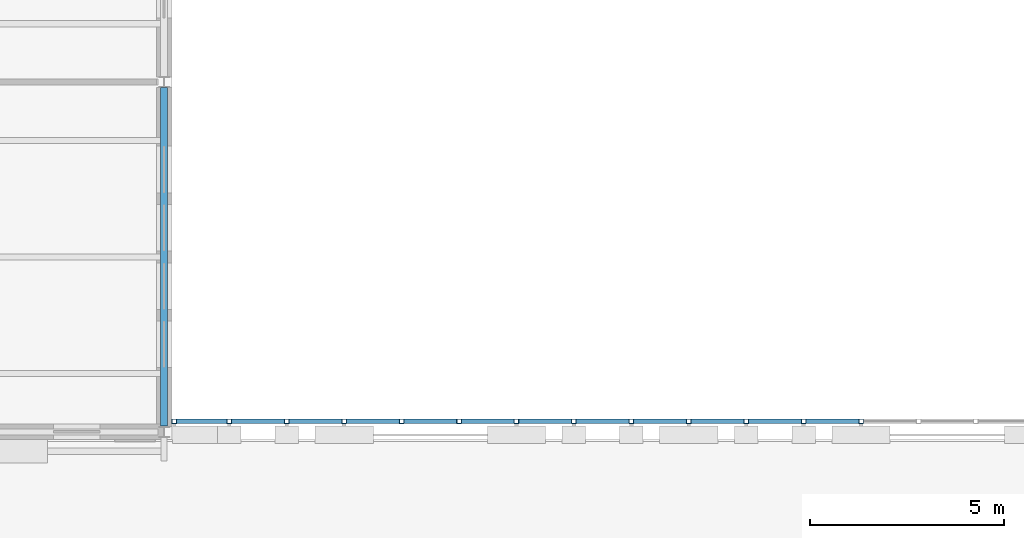
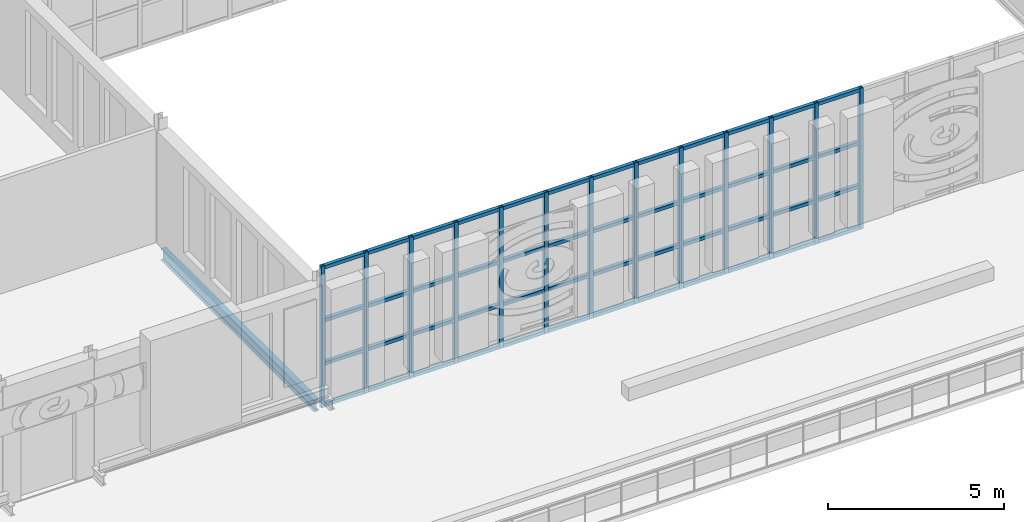
# One storey, part 24 of 134: 61 members, 1 beam, 1 element without a shape of its own.
"""IFC4 building model written with IfcOpenShell, lengths in metres."""

from ifc_helpers import new_model, si_unit, direction, frame, origin, origin_2d, place, context, subcontext, project, spatial, hollow_rectangle, i_section, extrude, material, material_profile, profile_set, type_object, element, aggregate, save


model = new_model("IFC4")

# Units and contexts
model_context = context("Model", 3, precision=1e-05, world=origin(), true_north=direction((0.0, 1.0)))
body_context = subcontext(model_context, "Body", "Model", "MODEL_VIEW")
ifc_project = project(units=[si_unit("LENGTHUNIT", "METRE"), si_unit("AREAUNIT", "SQUARE_METRE"), si_unit("VOLUMEUNIT", "CUBIC_METRE"), si_unit("PLANEANGLEUNIT", "RADIAN"), si_unit("MASSUNIT", "GRAM", prefix="KILO")], contexts=[model_context])

# Site, building, storey
site_placement = place(None, origin())
site = spatial("IfcSite", under=ifc_project, at=site_placement, CompositionType="ELEMENT")
building_placement = place(site_placement, origin())
building = spatial("IfcBuilding", under=site, at=building_placement, Name="Golden Quay Civic Hall", CompositionType="ELEMENT")
storey_placement = place(building_placement, frame((0.0, 0.0, 5.39990234375)))
storey = spatial("IfcBuildingStorey", under=building, at=storey_placement, Name="L01", CompositionType="ELEMENT", Elevation=5.39990234375)

# Beam
ifc_material_1 = material(Name="Steel S355", Category="steel")
ifc_material_profile_1 = material_profile(ifc_material_1, i_section(OverallWidth=0.179931640625, OverallDepth=0.39990234375, WebThickness=0.008544921875, FlangeThickness=0.013427734375, FilletRadius=0.02099609375, at=origin_2d()), Name="IPE 400")
ifc_profile_set_1 = profile_set([ifc_material_profile_1], Name="Steel S355")
beam_type = type_object("IfcBeamType", Name="Steel beam IPE 400", PredefinedType="BEAM", material=ifc_profile_set_1)
beam_placement = place(storey_placement, frame((72.0, 0.14501953125, -0.39990234375), z_axis=(0.0, 1.0, 0.0), x_axis=(-1.0, 0.0, 0.0)))
element("IfcBeam", 1, at=beam_placement, inside=storey, type_object=beam_type, Name="Beam L72-0", PredefinedType="BEAM", context=body_context, shape_type="SweptSolid", body=[
    extrude(i_section(OverallWidth=0.179931640625, OverallDepth=0.39990234375, WebThickness=0.008544921875, FlangeThickness=0.013427734375, FilletRadius=0.02099609375, at=origin_2d()), origin(), (0.0, 0.0, 1.0), 8.7099609375),
])

# Curtain wall, members
ifc_material_2 = material(Name="Glass and aluminium", Category="aluminium")
curtain_wall_type = type_object("IfcCurtainWallType", Name="Glazed curtain wall 1500 module", PredefinedType="NOTDEFINED", material=ifc_material_2)
curtain_wall_placement = place(storey_placement, origin())
curtain_wall = element("IfcCurtainWall", 2, at=curtain_wall_placement, inside=storey, type_object=curtain_wall_type, Name="CW1 curtain wall", PredefinedType="NOTDEFINED")
ifc_material_3 = material(Name="Steel S355", Category="steel")
ifc_material_profile_2 = material_profile(ifc_material_3, hollow_rectangle(XDim=0.1201171875, YDim=0.1201171875, WallThickness=0.008056640625, at=origin_2d()), Name="SHS 120x120x8")
ifc_profile_set_2 = profile_set([ifc_material_profile_2], Name="Steel S355")
member_type_1 = type_object("IfcMemberType", Name="Steel mullion SHS 120x120x8", PredefinedType="MULLION", material=ifc_profile_set_2)
member_1_placement = place(storey_placement, frame((72.260009765625, 0.27001953125, -0.599853515625), z_axis=(0.0, 0.0, 1.0), x_axis=(0.0, 1.0, 0.0)))
member_1 = element("IfcMember", 3, at=member_1_placement, type_object=member_type_1, Name="CW1 mullion 1", PredefinedType="MULLION", context=body_context, shape_type="SweptSolid", body=[
    extrude(hollow_rectangle(XDim=0.1201171875, YDim=0.1201171875, WallThickness=0.008056640625, at=origin_2d()), origin(), (0.0, 0.0, 1.0), 4.89990234375),
])
member_2_placement = place(storey_placement, frame((73.677734375, 0.27001953125, -0.599853515625), z_axis=(0.0, 0.0, 1.0), x_axis=(0.0, 1.0, 0.0)))
member_2 = element("IfcMember", 4, at=member_2_placement, type_object=member_type_1, Name="CW1 mullion 2", PredefinedType="MULLION", context=body_context, shape_type="SweptSolid", body=[
    extrude(hollow_rectangle(XDim=0.1201171875, YDim=0.1201171875, WallThickness=0.008056640625, at=origin_2d()), origin(), (0.0, 0.0, 1.0), 4.89990234375),
])
member_3_placement = place(storey_placement, frame((75.155517578125, 0.27001953125, -0.599853515625), z_axis=(0.0, 0.0, 1.0), x_axis=(0.0, 1.0, 0.0)))
member_3 = element("IfcMember", 5, at=member_3_placement, type_object=member_type_1, Name="CW1 mullion 3", PredefinedType="MULLION", context=body_context, shape_type="SweptSolid", body=[
    extrude(hollow_rectangle(XDim=0.1201171875, YDim=0.1201171875, WallThickness=0.008056640625, at=origin_2d()), origin(), (0.0, 0.0, 1.0), 4.89990234375),
])
member_4_placement = place(storey_placement, frame((76.63330078125, 0.27001953125, -0.599853515625), z_axis=(0.0, 0.0, 1.0), x_axis=(0.0, 1.0, 0.0)))
member_4 = element("IfcMember", 6, at=member_4_placement, type_object=member_type_1, Name="CW1 mullion 4", PredefinedType="MULLION", context=body_context, shape_type="SweptSolid", body=[
    extrude(hollow_rectangle(XDim=0.1201171875, YDim=0.1201171875, WallThickness=0.008056640625, at=origin_2d()), origin(), (0.0, 0.0, 1.0), 4.89990234375),
])
member_5_placement = place(storey_placement, frame((78.111083984375, 0.27001953125, -0.599853515625), z_axis=(0.0, 0.0, 1.0), x_axis=(0.0, 1.0, 0.0)))
member_5 = element("IfcMember", 7, at=member_5_placement, type_object=member_type_1, Name="CW1 mullion 5", PredefinedType="MULLION", context=body_context, shape_type="SweptSolid", body=[
    extrude(hollow_rectangle(XDim=0.1201171875, YDim=0.1201171875, WallThickness=0.008056640625, at=origin_2d()), origin(), (0.0, 0.0, 1.0), 4.89990234375),
])
member_6_placement = place(storey_placement, frame((79.5888671875, 0.27001953125, -0.599853515625), z_axis=(0.0, 0.0, 1.0), x_axis=(0.0, 1.0, 0.0)))
member_6 = element("IfcMember", 8, at=member_6_placement, type_object=member_type_1, Name="CW1 mullion 6", PredefinedType="MULLION", context=body_context, shape_type="SweptSolid", body=[
    extrude(hollow_rectangle(XDim=0.1201171875, YDim=0.1201171875, WallThickness=0.008056640625, at=origin_2d()), origin(), (0.0, 0.0, 1.0), 4.89990234375),
])
member_7_placement = place(storey_placement, frame((81.066650390625, 0.27001953125, -0.599853515625), z_axis=(0.0, 0.0, 1.0), x_axis=(0.0, 1.0, 0.0)))
member_7 = element("IfcMember", 9, at=member_7_placement, type_object=member_type_1, Name="CW1 mullion 7", PredefinedType="MULLION", context=body_context, shape_type="SweptSolid", body=[
    extrude(hollow_rectangle(XDim=0.1201171875, YDim=0.1201171875, WallThickness=0.008056640625, at=origin_2d()), origin(), (0.0, 0.0, 1.0), 4.89990234375),
])
member_8_placement = place(storey_placement, frame((82.54443359375, 0.27001953125, -0.599853515625), z_axis=(0.0, 0.0, 1.0), x_axis=(0.0, 1.0, 0.0)))
member_8 = element("IfcMember", 10, at=member_8_placement, type_object=member_type_1, Name="CW1 mullion 8", PredefinedType="MULLION", context=body_context, shape_type="SweptSolid", body=[
    extrude(hollow_rectangle(XDim=0.1201171875, YDim=0.1201171875, WallThickness=0.008056640625, at=origin_2d()), origin(), (0.0, 0.0, 1.0), 4.89990234375),
])
member_9_placement = place(storey_placement, frame((84.022216796875, 0.27001953125, -0.599853515625), z_axis=(0.0, 0.0, 1.0), x_axis=(0.0, 1.0, 0.0)))
member_9 = element("IfcMember", 11, at=member_9_placement, type_object=member_type_1, Name="CW1 mullion 9", PredefinedType="MULLION", context=body_context, shape_type="SweptSolid", body=[
    extrude(hollow_rectangle(XDim=0.1201171875, YDim=0.1201171875, WallThickness=0.008056640625, at=origin_2d()), origin(), (0.0, 0.0, 1.0), 4.89990234375),
])
member_10_placement = place(storey_placement, frame((85.5, 0.27001953125, -0.599853515625), z_axis=(0.0, 0.0, 1.0), x_axis=(0.0, 1.0, 0.0)))
member_10 = element("IfcMember", 12, at=member_10_placement, type_object=member_type_1, Name="CW1 mullion 10", PredefinedType="MULLION", context=body_context, shape_type="SweptSolid", body=[
    extrude(hollow_rectangle(XDim=0.1201171875, YDim=0.1201171875, WallThickness=0.008056640625, at=origin_2d()), origin(), (0.0, 0.0, 1.0), 4.89990234375),
])
member_11_placement = place(storey_placement, frame((86.977783203125, 0.27001953125, -0.599853515625), z_axis=(0.0, 0.0, 1.0), x_axis=(0.0, 1.0, 0.0)))
member_11 = element("IfcMember", 13, at=member_11_placement, type_object=member_type_1, Name="CW1 mullion 11", PredefinedType="MULLION", context=body_context, shape_type="SweptSolid", body=[
    extrude(hollow_rectangle(XDim=0.1201171875, YDim=0.1201171875, WallThickness=0.008056640625, at=origin_2d()), origin(), (0.0, 0.0, 1.0), 4.89990234375),
])
member_12_placement = place(storey_placement, frame((88.45556640625, 0.27001953125, -0.599853515625), z_axis=(0.0, 0.0, 1.0), x_axis=(0.0, 1.0, 0.0)))
member_12 = element("IfcMember", 14, at=member_12_placement, type_object=member_type_1, Name="CW1 mullion 12", PredefinedType="MULLION", context=body_context, shape_type="SweptSolid", body=[
    extrude(hollow_rectangle(XDim=0.1201171875, YDim=0.1201171875, WallThickness=0.008056640625, at=origin_2d()), origin(), (0.0, 0.0, 1.0), 4.89990234375),
])
member_13_placement = place(storey_placement, frame((89.933349609375, 0.27001953125, -0.599853515625), z_axis=(0.0, 0.0, 1.0), x_axis=(0.0, 1.0, 0.0)))
member_13 = element("IfcMember", 15, at=member_13_placement, type_object=member_type_1, Name="CW1 mullion 13", PredefinedType="MULLION", context=body_context, shape_type="SweptSolid", body=[
    extrude(hollow_rectangle(XDim=0.1201171875, YDim=0.1201171875, WallThickness=0.008056640625, at=origin_2d()), origin(), (0.0, 0.0, 1.0), 4.89990234375),
])
ifc_material_4 = material(Name="Steel S355", Category="steel")
ifc_material_profile_3 = material_profile(ifc_material_4, hollow_rectangle(XDim=0.1201171875, YDim=0.1201171875, WallThickness=0.008056640625, at=origin_2d()), Name="SHS 120x120x8")
ifc_profile_set_3 = profile_set([ifc_material_profile_3], Name="Steel S355")
member_type_2 = type_object("IfcMemberType", Name="Steel transom SHS 120x120x8", PredefinedType="USERDEFINED", material=ifc_profile_set_3)
member_14_placement = place(storey_placement, frame((72.320068359375, 0.27001953125, -0.539794921875), z_axis=(1.0, 0.0, 0.0), x_axis=(0.0, 1.0, 0.0)))
member_14 = element("IfcMember", 16, at=member_14_placement, type_object=member_type_2, Name="CW1 transom 1.1", ObjectType="TRANSOM", PredefinedType="USERDEFINED", context=body_context, shape_type="SweptSolid", body=[
    extrude(hollow_rectangle(XDim=0.1201171875, YDim=0.1201171875, WallThickness=0.008056640625, at=origin_2d()), origin(), (0.0, 0.0, 1.0), 1.297607421875),
])
member_15_placement = place(storey_placement, frame((72.320068359375, 0.27001953125, 0.900146484375), z_axis=(1.0, 0.0, 0.0), x_axis=(0.0, 1.0, 0.0)))
member_15 = element("IfcMember", 17, at=member_15_placement, type_object=member_type_2, Name="CW1 transom 1.2", ObjectType="TRANSOM", PredefinedType="USERDEFINED", context=body_context, shape_type="SweptSolid", body=[
    extrude(hollow_rectangle(XDim=0.1201171875, YDim=0.1201171875, WallThickness=0.008056640625, at=origin_2d()), origin(), (0.0, 0.0, 1.0), 1.297607421875),
])
member_16_placement = place(storey_placement, frame((72.320068359375, 0.27001953125, 2.400146484375), z_axis=(1.0, 0.0, 0.0), x_axis=(0.0, 1.0, 0.0)))
member_16 = element("IfcMember", 18, at=member_16_placement, type_object=member_type_2, Name="CW1 transom 1.3", ObjectType="TRANSOM", PredefinedType="USERDEFINED", context=body_context, shape_type="SweptSolid", body=[
    extrude(hollow_rectangle(XDim=0.1201171875, YDim=0.1201171875, WallThickness=0.008056640625, at=origin_2d()), origin(), (0.0, 0.0, 1.0), 1.297607421875),
])
member_17_placement = place(storey_placement, frame((72.320068359375, 0.27001953125, 4.239990234375), z_axis=(1.0, 0.0, 0.0), x_axis=(0.0, 1.0, 0.0)))
member_17 = element("IfcMember", 19, at=member_17_placement, type_object=member_type_2, Name="CW1 transom 1.4", ObjectType="TRANSOM", PredefinedType="USERDEFINED", context=body_context, shape_type="SweptSolid", body=[
    extrude(hollow_rectangle(XDim=0.1201171875, YDim=0.1201171875, WallThickness=0.008056640625, at=origin_2d()), origin(), (0.0, 0.0, 1.0), 1.297607421875),
])
member_18_placement = place(storey_placement, frame((73.73779296875, 0.27001953125, -0.539794921875), z_axis=(1.0, 0.0, 0.0), x_axis=(0.0, 1.0, 0.0)))
member_18 = element("IfcMember", 20, at=member_18_placement, type_object=member_type_2, Name="CW1 transom 2.1", ObjectType="TRANSOM", PredefinedType="USERDEFINED", context=body_context, shape_type="SweptSolid", body=[
    extrude(hollow_rectangle(XDim=0.1201171875, YDim=0.1201171875, WallThickness=0.008056640625, at=origin_2d()), origin(), (0.0, 0.0, 1.0), 1.357666015625),
])
member_19_placement = place(storey_placement, frame((73.73779296875, 0.27001953125, 0.900146484375), z_axis=(1.0, 0.0, 0.0), x_axis=(0.0, 1.0, 0.0)))
member_19 = element("IfcMember", 21, at=member_19_placement, type_object=member_type_2, Name="CW1 transom 2.2", ObjectType="TRANSOM", PredefinedType="USERDEFINED", context=body_context, shape_type="SweptSolid", body=[
    extrude(hollow_rectangle(XDim=0.1201171875, YDim=0.1201171875, WallThickness=0.008056640625, at=origin_2d()), origin(), (0.0, 0.0, 1.0), 1.357666015625),
])
member_20_placement = place(storey_placement, frame((73.73779296875, 0.27001953125, 2.400146484375), z_axis=(1.0, 0.0, 0.0), x_axis=(0.0, 1.0, 0.0)))
member_20 = element("IfcMember", 22, at=member_20_placement, type_object=member_type_2, Name="CW1 transom 2.3", ObjectType="TRANSOM", PredefinedType="USERDEFINED", context=body_context, shape_type="SweptSolid", body=[
    extrude(hollow_rectangle(XDim=0.1201171875, YDim=0.1201171875, WallThickness=0.008056640625, at=origin_2d()), origin(), (0.0, 0.0, 1.0), 1.357666015625),
])
member_21_placement = place(storey_placement, frame((73.73779296875, 0.27001953125, 4.239990234375), z_axis=(1.0, 0.0, 0.0), x_axis=(0.0, 1.0, 0.0)))
member_21 = element("IfcMember", 23, at=member_21_placement, type_object=member_type_2, Name="CW1 transom 2.4", ObjectType="TRANSOM", PredefinedType="USERDEFINED", context=body_context, shape_type="SweptSolid", body=[
    extrude(hollow_rectangle(XDim=0.1201171875, YDim=0.1201171875, WallThickness=0.008056640625, at=origin_2d()), origin(), (0.0, 0.0, 1.0), 1.357666015625),
])
member_22_placement = place(storey_placement, frame((75.215576171875, 0.27001953125, -0.539794921875), z_axis=(1.0, 0.0, 0.0), x_axis=(0.0, 1.0, 0.0)))
member_22 = element("IfcMember", 24, at=member_22_placement, type_object=member_type_2, Name="CW1 transom 3.1", ObjectType="TRANSOM", PredefinedType="USERDEFINED", context=body_context, shape_type="SweptSolid", body=[
    extrude(hollow_rectangle(XDim=0.1201171875, YDim=0.1201171875, WallThickness=0.008056640625, at=origin_2d()), origin(), (0.0, 0.0, 1.0), 1.357666015625),
])
member_23_placement = place(storey_placement, frame((75.215576171875, 0.27001953125, 0.900146484375), z_axis=(1.0, 0.0, 0.0), x_axis=(0.0, 1.0, 0.0)))
member_23 = element("IfcMember", 25, at=member_23_placement, type_object=member_type_2, Name="CW1 transom 3.2", ObjectType="TRANSOM", PredefinedType="USERDEFINED", context=body_context, shape_type="SweptSolid", body=[
    extrude(hollow_rectangle(XDim=0.1201171875, YDim=0.1201171875, WallThickness=0.008056640625, at=origin_2d()), origin(), (0.0, 0.0, 1.0), 1.357666015625),
])
member_24_placement = place(storey_placement, frame((75.215576171875, 0.27001953125, 2.400146484375), z_axis=(1.0, 0.0, 0.0), x_axis=(0.0, 1.0, 0.0)))
member_24 = element("IfcMember", 26, at=member_24_placement, type_object=member_type_2, Name="CW1 transom 3.3", ObjectType="TRANSOM", PredefinedType="USERDEFINED", context=body_context, shape_type="SweptSolid", body=[
    extrude(hollow_rectangle(XDim=0.1201171875, YDim=0.1201171875, WallThickness=0.008056640625, at=origin_2d()), origin(), (0.0, 0.0, 1.0), 1.357666015625),
])
member_25_placement = place(storey_placement, frame((75.215576171875, 0.27001953125, 4.239990234375), z_axis=(1.0, 0.0, 0.0), x_axis=(0.0, 1.0, 0.0)))
member_25 = element("IfcMember", 27, at=member_25_placement, type_object=member_type_2, Name="CW1 transom 3.4", ObjectType="TRANSOM", PredefinedType="USERDEFINED", context=body_context, shape_type="SweptSolid", body=[
    extrude(hollow_rectangle(XDim=0.1201171875, YDim=0.1201171875, WallThickness=0.008056640625, at=origin_2d()), origin(), (0.0, 0.0, 1.0), 1.357666015625),
])
member_26_placement = place(storey_placement, frame((76.693359375, 0.27001953125, -0.539794921875), z_axis=(1.0, 0.0, 0.0), x_axis=(0.0, 1.0, 0.0)))
member_26 = element("IfcMember", 28, at=member_26_placement, type_object=member_type_2, Name="CW1 transom 4.1", ObjectType="TRANSOM", PredefinedType="USERDEFINED", context=body_context, shape_type="SweptSolid", body=[
    extrude(hollow_rectangle(XDim=0.1201171875, YDim=0.1201171875, WallThickness=0.008056640625, at=origin_2d()), origin(), (0.0, 0.0, 1.0), 1.357666015625),
])
member_27_placement = place(storey_placement, frame((76.693359375, 0.27001953125, 0.900146484375), z_axis=(1.0, 0.0, 0.0), x_axis=(0.0, 1.0, 0.0)))
member_27 = element("IfcMember", 29, at=member_27_placement, type_object=member_type_2, Name="CW1 transom 4.2", ObjectType="TRANSOM", PredefinedType="USERDEFINED", context=body_context, shape_type="SweptSolid", body=[
    extrude(hollow_rectangle(XDim=0.1201171875, YDim=0.1201171875, WallThickness=0.008056640625, at=origin_2d()), origin(), (0.0, 0.0, 1.0), 1.357666015625),
])
member_28_placement = place(storey_placement, frame((76.693359375, 0.27001953125, 2.400146484375), z_axis=(1.0, 0.0, 0.0), x_axis=(0.0, 1.0, 0.0)))
member_28 = element("IfcMember", 30, at=member_28_placement, type_object=member_type_2, Name="CW1 transom 4.3", ObjectType="TRANSOM", PredefinedType="USERDEFINED", context=body_context, shape_type="SweptSolid", body=[
    extrude(hollow_rectangle(XDim=0.1201171875, YDim=0.1201171875, WallThickness=0.008056640625, at=origin_2d()), origin(), (0.0, 0.0, 1.0), 1.357666015625),
])
member_29_placement = place(storey_placement, frame((76.693359375, 0.27001953125, 4.239990234375), z_axis=(1.0, 0.0, 0.0), x_axis=(0.0, 1.0, 0.0)))
member_29 = element("IfcMember", 31, at=member_29_placement, type_object=member_type_2, Name="CW1 transom 4.4", ObjectType="TRANSOM", PredefinedType="USERDEFINED", context=body_context, shape_type="SweptSolid", body=[
    extrude(hollow_rectangle(XDim=0.1201171875, YDim=0.1201171875, WallThickness=0.008056640625, at=origin_2d()), origin(), (0.0, 0.0, 1.0), 1.357666015625),
])
member_30_placement = place(storey_placement, frame((78.171142578125, 0.27001953125, -0.539794921875), z_axis=(1.0, 0.0, 0.0), x_axis=(0.0, 1.0, 0.0)))
member_30 = element("IfcMember", 32, at=member_30_placement, type_object=member_type_2, Name="CW1 transom 5.1", ObjectType="TRANSOM", PredefinedType="USERDEFINED", context=body_context, shape_type="SweptSolid", body=[
    extrude(hollow_rectangle(XDim=0.1201171875, YDim=0.1201171875, WallThickness=0.008056640625, at=origin_2d()), origin(), (0.0, 0.0, 1.0), 1.357666015625),
])
member_31_placement = place(storey_placement, frame((78.171142578125, 0.27001953125, 0.900146484375), z_axis=(1.0, 0.0, 0.0), x_axis=(0.0, 1.0, 0.0)))
member_31 = element("IfcMember", 33, at=member_31_placement, type_object=member_type_2, Name="CW1 transom 5.2", ObjectType="TRANSOM", PredefinedType="USERDEFINED", context=body_context, shape_type="SweptSolid", body=[
    extrude(hollow_rectangle(XDim=0.1201171875, YDim=0.1201171875, WallThickness=0.008056640625, at=origin_2d()), origin(), (0.0, 0.0, 1.0), 1.357666015625),
])
member_32_placement = place(storey_placement, frame((78.171142578125, 0.27001953125, 2.400146484375), z_axis=(1.0, 0.0, 0.0), x_axis=(0.0, 1.0, 0.0)))
member_32 = element("IfcMember", 34, at=member_32_placement, type_object=member_type_2, Name="CW1 transom 5.3", ObjectType="TRANSOM", PredefinedType="USERDEFINED", context=body_context, shape_type="SweptSolid", body=[
    extrude(hollow_rectangle(XDim=0.1201171875, YDim=0.1201171875, WallThickness=0.008056640625, at=origin_2d()), origin(), (0.0, 0.0, 1.0), 1.357666015625),
])
member_33_placement = place(storey_placement, frame((78.171142578125, 0.27001953125, 4.239990234375), z_axis=(1.0, 0.0, 0.0), x_axis=(0.0, 1.0, 0.0)))
member_33 = element("IfcMember", 35, at=member_33_placement, type_object=member_type_2, Name="CW1 transom 5.4", ObjectType="TRANSOM", PredefinedType="USERDEFINED", context=body_context, shape_type="SweptSolid", body=[
    extrude(hollow_rectangle(XDim=0.1201171875, YDim=0.1201171875, WallThickness=0.008056640625, at=origin_2d()), origin(), (0.0, 0.0, 1.0), 1.357666015625),
])
member_34_placement = place(storey_placement, frame((79.64892578125, 0.27001953125, -0.539794921875), z_axis=(1.0, 0.0, 0.0), x_axis=(0.0, 1.0, 0.0)))
member_34 = element("IfcMember", 36, at=member_34_placement, type_object=member_type_2, Name="CW1 transom 6.1", ObjectType="TRANSOM", PredefinedType="USERDEFINED", context=body_context, shape_type="SweptSolid", body=[
    extrude(hollow_rectangle(XDim=0.1201171875, YDim=0.1201171875, WallThickness=0.008056640625, at=origin_2d()), origin(), (0.0, 0.0, 1.0), 1.357666015625),
])
member_35_placement = place(storey_placement, frame((79.64892578125, 0.27001953125, 0.900146484375), z_axis=(1.0, 0.0, 0.0), x_axis=(0.0, 1.0, 0.0)))
member_35 = element("IfcMember", 37, at=member_35_placement, type_object=member_type_2, Name="CW1 transom 6.2", ObjectType="TRANSOM", PredefinedType="USERDEFINED", context=body_context, shape_type="SweptSolid", body=[
    extrude(hollow_rectangle(XDim=0.1201171875, YDim=0.1201171875, WallThickness=0.008056640625, at=origin_2d()), origin(), (0.0, 0.0, 1.0), 1.357666015625),
])
member_36_placement = place(storey_placement, frame((79.64892578125, 0.27001953125, 2.400146484375), z_axis=(1.0, 0.0, 0.0), x_axis=(0.0, 1.0, 0.0)))
member_36 = element("IfcMember", 38, at=member_36_placement, type_object=member_type_2, Name="CW1 transom 6.3", ObjectType="TRANSOM", PredefinedType="USERDEFINED", context=body_context, shape_type="SweptSolid", body=[
    extrude(hollow_rectangle(XDim=0.1201171875, YDim=0.1201171875, WallThickness=0.008056640625, at=origin_2d()), origin(), (0.0, 0.0, 1.0), 1.357666015625),
])
member_37_placement = place(storey_placement, frame((79.64892578125, 0.27001953125, 4.239990234375), z_axis=(1.0, 0.0, 0.0), x_axis=(0.0, 1.0, 0.0)))
member_37 = element("IfcMember", 39, at=member_37_placement, type_object=member_type_2, Name="CW1 transom 6.4", ObjectType="TRANSOM", PredefinedType="USERDEFINED", context=body_context, shape_type="SweptSolid", body=[
    extrude(hollow_rectangle(XDim=0.1201171875, YDim=0.1201171875, WallThickness=0.008056640625, at=origin_2d()), origin(), (0.0, 0.0, 1.0), 1.357666015625),
])
member_38_placement = place(storey_placement, frame((81.126708984375, 0.27001953125, -0.539794921875), z_axis=(1.0, 0.0, 0.0), x_axis=(0.0, 1.0, 0.0)))
member_38 = element("IfcMember", 40, at=member_38_placement, type_object=member_type_2, Name="CW1 transom 7.1", ObjectType="TRANSOM", PredefinedType="USERDEFINED", context=body_context, shape_type="SweptSolid", body=[
    extrude(hollow_rectangle(XDim=0.1201171875, YDim=0.1201171875, WallThickness=0.008056640625, at=origin_2d()), origin(), (0.0, 0.0, 1.0), 1.357666015625),
])
member_39_placement = place(storey_placement, frame((81.126708984375, 0.27001953125, 0.900146484375), z_axis=(1.0, 0.0, 0.0), x_axis=(0.0, 1.0, 0.0)))
member_39 = element("IfcMember", 41, at=member_39_placement, type_object=member_type_2, Name="CW1 transom 7.2", ObjectType="TRANSOM", PredefinedType="USERDEFINED", context=body_context, shape_type="SweptSolid", body=[
    extrude(hollow_rectangle(XDim=0.1201171875, YDim=0.1201171875, WallThickness=0.008056640625, at=origin_2d()), origin(), (0.0, 0.0, 1.0), 1.357666015625),
])
member_40_placement = place(storey_placement, frame((81.126708984375, 0.27001953125, 2.400146484375), z_axis=(1.0, 0.0, 0.0), x_axis=(0.0, 1.0, 0.0)))
member_40 = element("IfcMember", 42, at=member_40_placement, type_object=member_type_2, Name="CW1 transom 7.3", ObjectType="TRANSOM", PredefinedType="USERDEFINED", context=body_context, shape_type="SweptSolid", body=[
    extrude(hollow_rectangle(XDim=0.1201171875, YDim=0.1201171875, WallThickness=0.008056640625, at=origin_2d()), origin(), (0.0, 0.0, 1.0), 1.357666015625),
])
member_41_placement = place(storey_placement, frame((81.126708984375, 0.27001953125, 4.239990234375), z_axis=(1.0, 0.0, 0.0), x_axis=(0.0, 1.0, 0.0)))
member_41 = element("IfcMember", 43, at=member_41_placement, type_object=member_type_2, Name="CW1 transom 7.4", ObjectType="TRANSOM", PredefinedType="USERDEFINED", context=body_context, shape_type="SweptSolid", body=[
    extrude(hollow_rectangle(XDim=0.1201171875, YDim=0.1201171875, WallThickness=0.008056640625, at=origin_2d()), origin(), (0.0, 0.0, 1.0), 1.357666015625),
])
member_42_placement = place(storey_placement, frame((82.6044921875, 0.27001953125, -0.539794921875), z_axis=(1.0, 0.0, 0.0), x_axis=(0.0, 1.0, 0.0)))
member_42 = element("IfcMember", 44, at=member_42_placement, type_object=member_type_2, Name="CW1 transom 8.1", ObjectType="TRANSOM", PredefinedType="USERDEFINED", context=body_context, shape_type="SweptSolid", body=[
    extrude(hollow_rectangle(XDim=0.1201171875, YDim=0.1201171875, WallThickness=0.008056640625, at=origin_2d()), origin(), (0.0, 0.0, 1.0), 1.357666015625),
])
member_43_placement = place(storey_placement, frame((82.6044921875, 0.27001953125, 0.900146484375), z_axis=(1.0, 0.0, 0.0), x_axis=(0.0, 1.0, 0.0)))
member_43 = element("IfcMember", 45, at=member_43_placement, type_object=member_type_2, Name="CW1 transom 8.2", ObjectType="TRANSOM", PredefinedType="USERDEFINED", context=body_context, shape_type="SweptSolid", body=[
    extrude(hollow_rectangle(XDim=0.1201171875, YDim=0.1201171875, WallThickness=0.008056640625, at=origin_2d()), origin(), (0.0, 0.0, 1.0), 1.357666015625),
])
member_44_placement = place(storey_placement, frame((82.6044921875, 0.27001953125, 2.400146484375), z_axis=(1.0, 0.0, 0.0), x_axis=(0.0, 1.0, 0.0)))
member_44 = element("IfcMember", 46, at=member_44_placement, type_object=member_type_2, Name="CW1 transom 8.3", ObjectType="TRANSOM", PredefinedType="USERDEFINED", context=body_context, shape_type="SweptSolid", body=[
    extrude(hollow_rectangle(XDim=0.1201171875, YDim=0.1201171875, WallThickness=0.008056640625, at=origin_2d()), origin(), (0.0, 0.0, 1.0), 1.357666015625),
])
member_45_placement = place(storey_placement, frame((82.6044921875, 0.27001953125, 4.239990234375), z_axis=(1.0, 0.0, 0.0), x_axis=(0.0, 1.0, 0.0)))
member_45 = element("IfcMember", 47, at=member_45_placement, type_object=member_type_2, Name="CW1 transom 8.4", ObjectType="TRANSOM", PredefinedType="USERDEFINED", context=body_context, shape_type="SweptSolid", body=[
    extrude(hollow_rectangle(XDim=0.1201171875, YDim=0.1201171875, WallThickness=0.008056640625, at=origin_2d()), origin(), (0.0, 0.0, 1.0), 1.357666015625),
])
member_46_placement = place(storey_placement, frame((84.082275390625, 0.27001953125, -0.539794921875), z_axis=(1.0, 0.0, 0.0), x_axis=(0.0, 1.0, 0.0)))
member_46 = element("IfcMember", 48, at=member_46_placement, type_object=member_type_2, Name="CW1 transom 9.1", ObjectType="TRANSOM", PredefinedType="USERDEFINED", context=body_context, shape_type="SweptSolid", body=[
    extrude(hollow_rectangle(XDim=0.1201171875, YDim=0.1201171875, WallThickness=0.008056640625, at=origin_2d()), origin(), (0.0, 0.0, 1.0), 1.357666015625),
])
member_47_placement = place(storey_placement, frame((84.082275390625, 0.27001953125, 0.900146484375), z_axis=(1.0, 0.0, 0.0), x_axis=(0.0, 1.0, 0.0)))
member_47 = element("IfcMember", 49, at=member_47_placement, type_object=member_type_2, Name="CW1 transom 9.2", ObjectType="TRANSOM", PredefinedType="USERDEFINED", context=body_context, shape_type="SweptSolid", body=[
    extrude(hollow_rectangle(XDim=0.1201171875, YDim=0.1201171875, WallThickness=0.008056640625, at=origin_2d()), origin(), (0.0, 0.0, 1.0), 1.357666015625),
])
member_48_placement = place(storey_placement, frame((84.082275390625, 0.27001953125, 2.400146484375), z_axis=(1.0, 0.0, 0.0), x_axis=(0.0, 1.0, 0.0)))
member_48 = element("IfcMember", 50, at=member_48_placement, type_object=member_type_2, Name="CW1 transom 9.3", ObjectType="TRANSOM", PredefinedType="USERDEFINED", context=body_context, shape_type="SweptSolid", body=[
    extrude(hollow_rectangle(XDim=0.1201171875, YDim=0.1201171875, WallThickness=0.008056640625, at=origin_2d()), origin(), (0.0, 0.0, 1.0), 1.357666015625),
])
member_49_placement = place(storey_placement, frame((84.082275390625, 0.27001953125, 4.239990234375), z_axis=(1.0, 0.0, 0.0), x_axis=(0.0, 1.0, 0.0)))
member_49 = element("IfcMember", 51, at=member_49_placement, type_object=member_type_2, Name="CW1 transom 9.4", ObjectType="TRANSOM", PredefinedType="USERDEFINED", context=body_context, shape_type="SweptSolid", body=[
    extrude(hollow_rectangle(XDim=0.1201171875, YDim=0.1201171875, WallThickness=0.008056640625, at=origin_2d()), origin(), (0.0, 0.0, 1.0), 1.357666015625),
])
member_50_placement = place(storey_placement, frame((85.56005859375, 0.27001953125, -0.539794921875), z_axis=(1.0, 0.0, 0.0), x_axis=(0.0, 1.0, 0.0)))
member_50 = element("IfcMember", 52, at=member_50_placement, type_object=member_type_2, Name="CW1 transom 10.1", ObjectType="TRANSOM", PredefinedType="USERDEFINED", context=body_context, shape_type="SweptSolid", body=[
    extrude(hollow_rectangle(XDim=0.1201171875, YDim=0.1201171875, WallThickness=0.008056640625, at=origin_2d()), origin(), (0.0, 0.0, 1.0), 1.357666015625),
])
member_51_placement = place(storey_placement, frame((85.56005859375, 0.27001953125, 0.900146484375), z_axis=(1.0, 0.0, 0.0), x_axis=(0.0, 1.0, 0.0)))
member_51 = element("IfcMember", 53, at=member_51_placement, type_object=member_type_2, Name="CW1 transom 10.2", ObjectType="TRANSOM", PredefinedType="USERDEFINED", context=body_context, shape_type="SweptSolid", body=[
    extrude(hollow_rectangle(XDim=0.1201171875, YDim=0.1201171875, WallThickness=0.008056640625, at=origin_2d()), origin(), (0.0, 0.0, 1.0), 1.357666015625),
])
member_52_placement = place(storey_placement, frame((85.56005859375, 0.27001953125, 2.400146484375), z_axis=(1.0, 0.0, 0.0), x_axis=(0.0, 1.0, 0.0)))
member_52 = element("IfcMember", 54, at=member_52_placement, type_object=member_type_2, Name="CW1 transom 10.3", ObjectType="TRANSOM", PredefinedType="USERDEFINED", context=body_context, shape_type="SweptSolid", body=[
    extrude(hollow_rectangle(XDim=0.1201171875, YDim=0.1201171875, WallThickness=0.008056640625, at=origin_2d()), origin(), (0.0, 0.0, 1.0), 1.357666015625),
])
member_53_placement = place(storey_placement, frame((85.56005859375, 0.27001953125, 4.239990234375), z_axis=(1.0, 0.0, 0.0), x_axis=(0.0, 1.0, 0.0)))
member_53 = element("IfcMember", 55, at=member_53_placement, type_object=member_type_2, Name="CW1 transom 10.4", ObjectType="TRANSOM", PredefinedType="USERDEFINED", context=body_context, shape_type="SweptSolid", body=[
    extrude(hollow_rectangle(XDim=0.1201171875, YDim=0.1201171875, WallThickness=0.008056640625, at=origin_2d()), origin(), (0.0, 0.0, 1.0), 1.357666015625),
])
member_54_placement = place(storey_placement, frame((87.037841796875, 0.27001953125, -0.539794921875), z_axis=(1.0, 0.0, 0.0), x_axis=(0.0, 1.0, 0.0)))
member_54 = element("IfcMember", 56, at=member_54_placement, type_object=member_type_2, Name="CW1 transom 11.1", ObjectType="TRANSOM", PredefinedType="USERDEFINED", context=body_context, shape_type="SweptSolid", body=[
    extrude(hollow_rectangle(XDim=0.1201171875, YDim=0.1201171875, WallThickness=0.008056640625, at=origin_2d()), origin(), (0.0, 0.0, 1.0), 1.357666015625),
])
member_55_placement = place(storey_placement, frame((87.037841796875, 0.27001953125, 0.900146484375), z_axis=(1.0, 0.0, 0.0), x_axis=(0.0, 1.0, 0.0)))
member_55 = element("IfcMember", 57, at=member_55_placement, type_object=member_type_2, Name="CW1 transom 11.2", ObjectType="TRANSOM", PredefinedType="USERDEFINED", context=body_context, shape_type="SweptSolid", body=[
    extrude(hollow_rectangle(XDim=0.1201171875, YDim=0.1201171875, WallThickness=0.008056640625, at=origin_2d()), origin(), (0.0, 0.0, 1.0), 1.357666015625),
])
member_56_placement = place(storey_placement, frame((87.037841796875, 0.27001953125, 2.400146484375), z_axis=(1.0, 0.0, 0.0), x_axis=(0.0, 1.0, 0.0)))
member_56 = element("IfcMember", 58, at=member_56_placement, type_object=member_type_2, Name="CW1 transom 11.3", ObjectType="TRANSOM", PredefinedType="USERDEFINED", context=body_context, shape_type="SweptSolid", body=[
    extrude(hollow_rectangle(XDim=0.1201171875, YDim=0.1201171875, WallThickness=0.008056640625, at=origin_2d()), origin(), (0.0, 0.0, 1.0), 1.357666015625),
])
member_57_placement = place(storey_placement, frame((87.037841796875, 0.27001953125, 4.239990234375), z_axis=(1.0, 0.0, 0.0), x_axis=(0.0, 1.0, 0.0)))
member_57 = element("IfcMember", 59, at=member_57_placement, type_object=member_type_2, Name="CW1 transom 11.4", ObjectType="TRANSOM", PredefinedType="USERDEFINED", context=body_context, shape_type="SweptSolid", body=[
    extrude(hollow_rectangle(XDim=0.1201171875, YDim=0.1201171875, WallThickness=0.008056640625, at=origin_2d()), origin(), (0.0, 0.0, 1.0), 1.357666015625),
])
member_58_placement = place(storey_placement, frame((88.515625, 0.27001953125, -0.539794921875), z_axis=(1.0, 0.0, 0.0), x_axis=(0.0, 1.0, 0.0)))
member_58 = element("IfcMember", 60, at=member_58_placement, type_object=member_type_2, Name="CW1 transom 12.1", ObjectType="TRANSOM", PredefinedType="USERDEFINED", context=body_context, shape_type="SweptSolid", body=[
    extrude(hollow_rectangle(XDim=0.1201171875, YDim=0.1201171875, WallThickness=0.008056640625, at=origin_2d()), origin(), (0.0, 0.0, 1.0), 1.357666015625),
])
member_59_placement = place(storey_placement, frame((88.515625, 0.27001953125, 0.900146484375), z_axis=(1.0, 0.0, 0.0), x_axis=(0.0, 1.0, 0.0)))
member_59 = element("IfcMember", 61, at=member_59_placement, type_object=member_type_2, Name="CW1 transom 12.2", ObjectType="TRANSOM", PredefinedType="USERDEFINED", context=body_context, shape_type="SweptSolid", body=[
    extrude(hollow_rectangle(XDim=0.1201171875, YDim=0.1201171875, WallThickness=0.008056640625, at=origin_2d()), origin(), (0.0, 0.0, 1.0), 1.357666015625),
])
member_60_placement = place(storey_placement, frame((88.515625, 0.27001953125, 2.400146484375), z_axis=(1.0, 0.0, 0.0), x_axis=(0.0, 1.0, 0.0)))
member_60 = element("IfcMember", 62, at=member_60_placement, type_object=member_type_2, Name="CW1 transom 12.3", ObjectType="TRANSOM", PredefinedType="USERDEFINED", context=body_context, shape_type="SweptSolid", body=[
    extrude(hollow_rectangle(XDim=0.1201171875, YDim=0.1201171875, WallThickness=0.008056640625, at=origin_2d()), origin(), (0.0, 0.0, 1.0), 1.357666015625),
])
member_61_placement = place(storey_placement, frame((88.515625, 0.27001953125, 4.239990234375), z_axis=(1.0, 0.0, 0.0), x_axis=(0.0, 1.0, 0.0)))
member_61 = element("IfcMember", 63, at=member_61_placement, type_object=member_type_2, Name="CW1 transom 12.4", ObjectType="TRANSOM", PredefinedType="USERDEFINED", context=body_context, shape_type="SweptSolid", body=[
    extrude(hollow_rectangle(XDim=0.1201171875, YDim=0.1201171875, WallThickness=0.008056640625, at=origin_2d()), origin(), (0.0, 0.0, 1.0), 1.357666015625),
])
aggregate(curtain_wall, [member_1, member_2, member_3, member_4, member_5, member_6, member_7, member_8, member_9, member_10, member_11, member_12, member_13, member_14, member_15, member_16, member_17, member_18, member_19, member_20, member_21, member_22, member_23, member_24, member_25, member_26, member_27, member_28, member_29, member_30, member_31, member_32, member_33, member_34, member_35, member_36, member_37, member_38, member_39, member_40, member_41, member_42, member_43, member_44, member_45, member_46, member_47, member_48, member_49, member_50, member_51, member_52, member_53, member_54, member_55, member_56, member_57, member_58, member_59, member_60, member_61])

save(model, "model.ifc")
